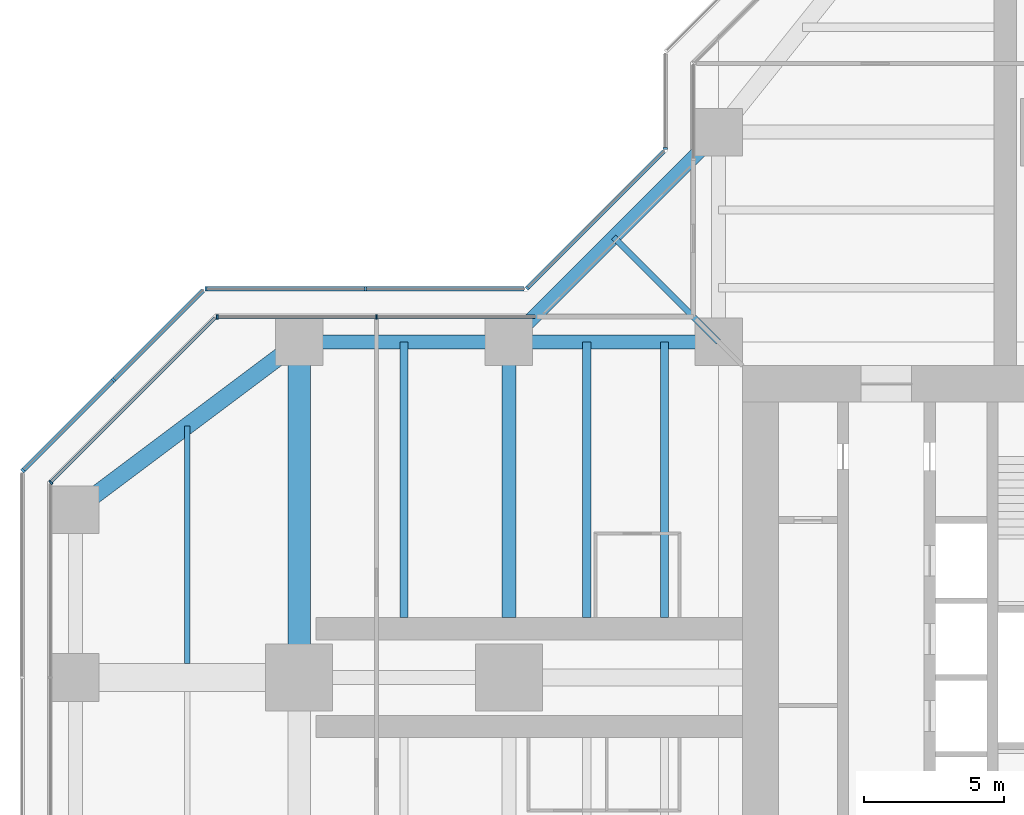
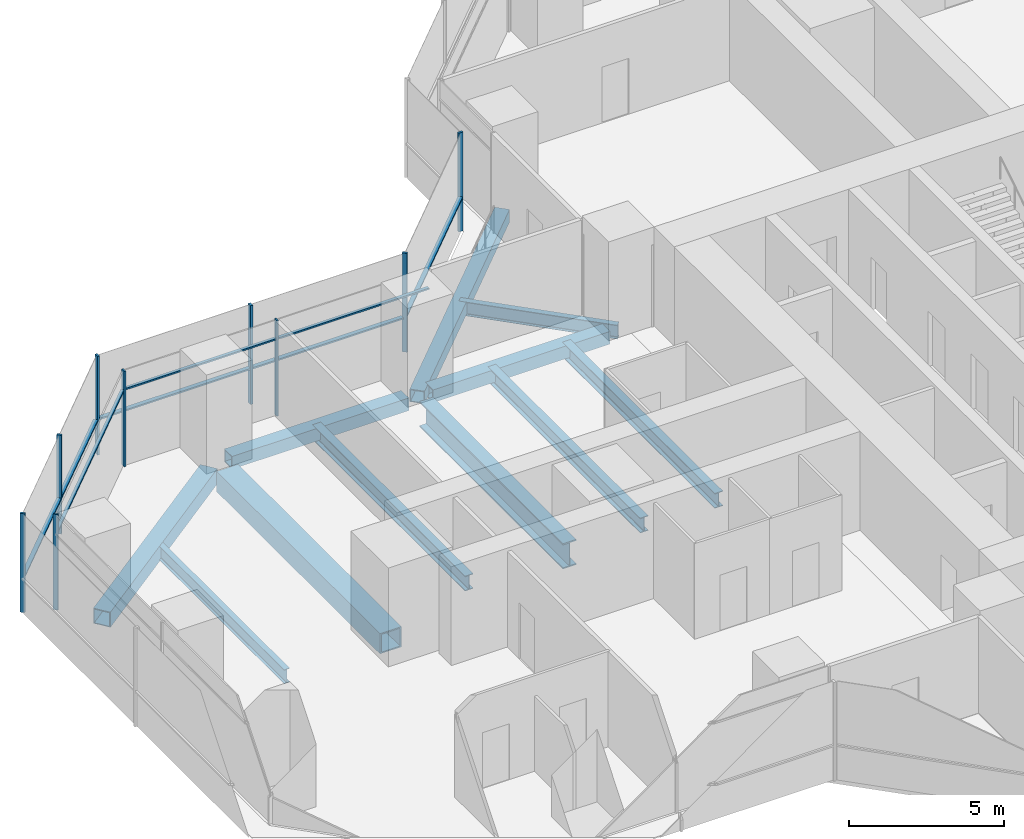
# One storey, part 7 of 20: 17 members, 11 beams, 6 elements without a shape of their own.
"""IFC4 building model written with IfcOpenShell, lengths in metres."""

from ifc_helpers import new_model, si_unit, direction, frame, origin, origin_2d, place, context, subcontext, project, spatial, rectangle, hollow_rectangle, i_section, extrude, material, material_profile, profile_set, type_object, element, aggregate, save


model = new_model("IFC4")

# Units and contexts
model_context = context("Model", 3, precision=1e-05, world=origin(), true_north=direction((0.0, 1.0)))
body_context = subcontext(model_context, "Body", "Model", "MODEL_VIEW")
ifc_project = project(units=[si_unit("LENGTHUNIT", "METRE"), si_unit("AREAUNIT", "SQUARE_METRE"), si_unit("VOLUMEUNIT", "CUBIC_METRE"), si_unit("PLANEANGLEUNIT", "RADIAN"), si_unit("MASSUNIT", "GRAM", prefix="KILO")], contexts=[model_context])

# Site, building, storey
site_placement = place(None, origin())
site = spatial("IfcSite", under=ifc_project, at=site_placement, CompositionType="ELEMENT")
building_placement = place(site_placement, origin())
building = spatial("IfcBuilding", under=site, at=building_placement, Name="Mizan Broadcast Tower", CompositionType="ELEMENT")
storey_placement = place(building_placement, frame((0.0, 0.0, 139.800048828125)))
storey = spatial("IfcBuildingStorey", under=building, at=storey_placement, Name="L31", CompositionType="ELEMENT", Elevation=139.800048828125)

# Beams
ifc_material_1 = material(Name="Steel S355", Category="steel")
ifc_material_profile_1 = material_profile(ifc_material_1, hollow_rectangle(XDim=0.5, YDim=0.5, WallThickness=0.030029296875, at=origin_2d()), Name="BOX 500x500x30")
ifc_profile_set_1 = profile_set([ifc_material_profile_1], Name="Steel S355")
beam_type_1 = type_object("IfcBeamType", Name="EDGE BEAM BOX 500x500x30", PredefinedType="SPANDREL", material=ifc_profile_set_1)
for number, where, z_axis, x_axis, name in (
    (1, (-12.449951171875, 12.0, -0.380126953125), (-1.0, 0.0, 0.0), (0.0, -1.0, 0.0), "Edge beam BOX 500x500x30 L31 west arm"),
    (2, (-19.949951171875, 12.0, -0.380126953125), (-1.0, 0.0, 0.0), (0.0, -1.0, 0.0), "Edge beam BOX 500x500x30 L31 west arm"),
):
    element("IfcBeam", number, at=place(storey_placement, frame(where, z_axis=z_axis, x_axis=x_axis)), inside=storey, type_object=beam_type_1, Name=name, PredefinedType="SPANDREL", context=body_context, shape_type="SweptSolid", body=[
        extrude(hollow_rectangle(XDim=0.5, YDim=0.5, WallThickness=0.030029296875, at=origin_2d()), origin(), (0.0, 0.0, 1.0), 6.60009765625),
    ])
beam_1_placement = place(storey_placement, frame((-12.0, 19.5, -0.380126953125), z_axis=(-0.707106781187, -0.707106781187, 0.0), x_axis=(0.707106781187, -0.707106781187, 0.0)))
element("IfcBeam", 3, at=beam_1_placement, inside=storey, type_object=beam_type_1, Name="Winter garden edge beam L31 N", PredefinedType="SPANDREL", context=body_context, shape_type="SweptSolid", body=[
    extrude(hollow_rectangle(XDim=0.5, YDim=0.5, WallThickness=0.030029296875, at=origin_2d()), origin(), (0.0, 0.0, 1.0), 10.606689453125),
])
ifc_material_2 = material(Name="Steel S355", Category="steel")
ifc_material_profile_2 = material_profile(ifc_material_2, hollow_rectangle(XDim=0.60009765625, YDim=0.60009765625, WallThickness=0.030029296875, at=origin_2d()), Name="BOX 600x600x30")
ifc_profile_set_2 = profile_set([ifc_material_profile_2], Name="Steel S355")
beam_type_2 = type_object("IfcBeamType", Name="EDGE BEAM BOX 600x600x30", PredefinedType="SPANDREL", material=ifc_profile_set_2)
beam_2_placement = place(storey_placement, frame((-27.47998046875, 11.639892578125, -0.429931640625), z_axis=(-0.800013316712, -0.599982243973, 0.0), x_axis=(0.599982243973, -0.800013316712, 0.0)))
element("IfcBeam", 4, at=beam_2_placement, inside=storey, type_object=beam_type_2, Name="Edge beam BOX 600x600x30 L31 west arm", PredefinedType="SPANDREL", context=body_context, shape_type="SweptSolid", body=[
    extrude(hollow_rectangle(XDim=0.60009765625, YDim=0.60009765625, WallThickness=0.030029296875, at=origin_2d()), origin(), (0.0, 0.0, 1.0), 8.7998046875),
])
ifc_material_3 = material(Name="Steel S460", Category="steel")
ifc_material_profile_3 = material_profile(ifc_material_3, hollow_rectangle(XDim=0.800048828125, YDim=0.800048828125, WallThickness=0.050048828125, at=origin_2d()), Name="BOX 800x800x50")
ifc_profile_set_3 = profile_set([ifc_material_profile_3], Name="Steel S460")
beam_type_3 = type_object("IfcBeamType", Name="GIRDER BOX 800x800x50", PredefinedType="BEAM", material=ifc_profile_set_3)
beam_3_placement = place(storey_placement, frame((-27.0, 11.280029296875, -0.530029296875), z_axis=(0.0, -1.0, 0.0), x_axis=(1.0, 0.0, 0.0)))
element("IfcBeam", 5, at=beam_3_placement, inside=storey, type_object=beam_type_3, Name="Girder BOX 800x800x50 L31 west arm", PredefinedType="BEAM", context=body_context, shape_type="SweptSolid", body=[
    extrude(hollow_rectangle(XDim=0.800048828125, YDim=0.800048828125, WallThickness=0.050048828125, at=origin_2d()), origin(), (0.0, 0.0, 1.0), 10.56005859375),
])
ifc_material_4 = material(Name="Steel S460", Category="steel")
ifc_material_profile_4 = material_profile(ifc_material_4, i_section(OverallWidth=0.5, OverallDepth=1.0, WebThickness=0.02490234375, FlangeThickness=0.050048828125, at=origin_2d()), Name="WPG 1000x500")
ifc_profile_set_4 = profile_set([ifc_material_profile_4], Name="Steel S460")
beam_type_4 = type_object("IfcBeamType", Name="GIRDER WPG 1000x500", PredefinedType="BEAM", material=ifc_profile_set_4)
beam_4_placement = place(storey_placement, frame((-19.5, 11.408935546875, -0.630126953125), z_axis=(0.0, -1.0, 0.0), x_axis=(1.0, 0.0, 0.0)))
element("IfcBeam", 6, at=beam_4_placement, inside=storey, type_object=beam_type_4, Name="Girder WPG 1000x500 L31 west arm", PredefinedType="BEAM", context=body_context, shape_type="SweptSolid", body=[
    extrude(i_section(OverallWidth=0.5, OverallDepth=1.0, WebThickness=0.02490234375, FlangeThickness=0.050048828125, at=origin_2d()), origin(), (0.0, 0.0, 1.0), 9.259033203125),
])

# Curtain wall, members
ifc_material_5 = material(Name="Aluminium framed glazing", Category="aluminium")
curtain_wall_type_1 = type_object("IfcCurtainWallType", Name="INNER SKIN MID ZONE", PredefinedType="USERDEFINED", material=ifc_material_5)
curtain_wall_1_placement = place(storey_placement, origin())
curtain_wall_1 = element("IfcCurtainWall", 7, at=curtain_wall_1_placement, inside=storey, type_object=curtain_wall_type_1, Name="Inner skin mid zone L31 W side", ObjectType="INNER SKIN MID ZONE", PredefinedType="USERDEFINED")
ifc_material_6 = material(Name="Aluminium, pale anodised", Category="aluminium")
ifc_material_profile_5 = material_profile(ifc_material_6, rectangle(XDim=0.159912109375, YDim=0.06005859375, at=origin_2d()), Name="MULLION 160x60")
ifc_profile_set_5 = profile_set([ifc_material_profile_5], Name="Aluminium, pale anodised")
member_type_1 = type_object("IfcMemberType", Name="INNER SKIN MULLION 60x160", PredefinedType="MULLION", material=ifc_profile_set_5)
member_1_placement = place(storey_placement, frame((-24.229248046875, 12.89990234375, 0.0), z_axis=(0.0, 0.0, 1.0), x_axis=(0.0, -1.0, 0.0)))
member_1 = element("IfcMember", 8, at=member_1_placement, type_object=member_type_1, Name="Inner skin mid zone L31 W side mullion 2", PredefinedType="MULLION", context=body_context, shape_type="SweptSolid", body=[
    extrude(rectangle(XDim=0.159912109375, YDim=0.06005859375, at=origin_2d()), origin(), (0.0, 0.0, 1.0), 3.77001953125),
])
member_2_placement = place(storey_placement, frame((-29.928466796875, 12.89990234375, 0.0), z_axis=(0.0, 0.0, 1.0), x_axis=(0.0, -1.0, 0.0)))
member_2 = element("IfcMember", 9, at=member_2_placement, type_object=member_type_1, Name="Inner skin mid zone L31 W side mullion 3", PredefinedType="MULLION", context=body_context, shape_type="SweptSolid", body=[
    extrude(rectangle(XDim=0.159912109375, YDim=0.06005859375, at=origin_2d()), origin(), (0.0, 0.0, 1.0), 3.77001953125),
])

# Curtain wall, member
curtain_wall_2_placement = place(storey_placement, origin())
curtain_wall_2 = element("IfcCurtainWall", 10, at=curtain_wall_2_placement, inside=storey, type_object=curtain_wall_type_1, Name="Inner skin mid zone L31 W chamfer", ObjectType="INNER SKIN MID ZONE", PredefinedType="USERDEFINED")
member_3_placement = place(storey_placement, frame((-35.87890625, 6.979736328125, 0.0), z_axis=(0.0, 0.0, 1.0), x_axis=(0.707106781187, -0.707106781187, 0.0)))
member_3 = element("IfcMember", 11, at=member_3_placement, type_object=member_type_1, Name="Inner skin mid zone L31 W chamfer mullion 2", PredefinedType="MULLION", context=body_context, shape_type="SweptSolid", body=[
    extrude(rectangle(XDim=0.159912109375, YDim=0.06005859375, at=origin_2d()), origin(), (0.0, 0.0, 1.0), 3.77001953125),
])

# Member
ifc_material_7 = material(Name="Aluminium, pale anodised", Category="aluminium")
ifc_material_profile_6 = material_profile(ifc_material_7, rectangle(XDim=0.1201171875, YDim=0.06005859375, at=origin_2d()), Name="TRANSOM 120x60")
ifc_profile_set_6 = profile_set([ifc_material_profile_6], Name="Aluminium, pale anodised")
member_type_2 = type_object("IfcMemberType", Name="INNER SKIN TRANSOM 60x120", PredefinedType="USERDEFINED", material=ifc_profile_set_6)
member_4_placement = place(storey_placement, frame((-18.56005859375, 12.89990234375, 3.030029296875), z_axis=(-1.0, 0.0, 0.0), x_axis=(0.0, -1.0, 0.0)))
member_4 = element("IfcMember", 12, at=member_4_placement, type_object=member_type_2, Name="Inner skin mid zone L31 W side transom 1.1", ObjectType="TRANSOM", PredefinedType="USERDEFINED", context=body_context, shape_type="SweptSolid", body=[
    extrude(rectangle(XDim=0.1201171875, YDim=0.06005859375, at=origin_2d()), origin(), (0.0, 0.0, 1.0), 5.63916015625),
])

member_5_placement = place(storey_placement, frame((-24.25927734375, 12.89990234375, 3.030029296875), z_axis=(-1.0, 0.0, 0.0), x_axis=(0.0, -1.0, 0.0)))
member_5 = element("IfcMember", 13, at=member_5_placement, type_object=member_type_2, Name="Inner skin mid zone L31 W side transom 2.1", ObjectType="TRANSOM", PredefinedType="USERDEFINED", context=body_context, shape_type="SweptSolid", body=[
    extrude(rectangle(XDim=0.1201171875, YDim=0.06005859375, at=origin_2d()), origin(), (0.0, 0.0, 1.0), 5.639404296875),
])

aggregate(curtain_wall_1, [member_1, member_2, member_4, member_5])

member_6_placement = place(storey_placement, frame((-30.0009765625, 12.857666015625, 3.030029296875), z_axis=(-0.707106781187, -0.707106781187, 0.0), x_axis=(0.707106781187, -0.707106781187, 0.0)))
member_6 = element("IfcMember", 14, at=member_6_placement, type_object=member_type_2, Name="Inner skin mid zone L31 W chamfer transom 1.1", ObjectType="TRANSOM", PredefinedType="USERDEFINED", context=body_context, shape_type="SweptSolid", body=[
    extrude(rectangle(XDim=0.1201171875, YDim=0.06005859375, at=origin_2d()), origin(), (0.0, 0.0, 1.0), 8.28271484375),
])

aggregate(curtain_wall_2, [member_3, member_6])

# Curtain wall, member
ifc_material_8 = material(Name="Aluminium framed glazing", Category="aluminium")
curtain_wall_type_2 = type_object("IfcCurtainWallType", Name="OUTER SKIN", PredefinedType="USERDEFINED", material=ifc_material_8)
curtain_wall_3_placement = place(storey_placement, origin())
curtain_wall_3 = element("IfcCurtainWall", 15, at=curtain_wall_3_placement, inside=storey, type_object=curtain_wall_type_2, Name="Outer skin L31 N side", ObjectType="OUTER SKIN", PredefinedType="USERDEFINED")
ifc_material_9 = material(Name="Aluminium, pale anodised", Category="aluminium")
ifc_material_profile_7 = material_profile(ifc_material_9, rectangle(XDim=0.159912109375, YDim=0.080078125, at=origin_2d()), Name="MULLION 160x80")
ifc_profile_set_7 = profile_set([ifc_material_profile_7], Name="Aluminium, pale anodised")
member_type_3 = type_object("IfcMemberType", Name="OUTER SKIN MULLION 80x160", PredefinedType="MULLION", material=ifc_profile_set_7)
member_7_placement = place(storey_placement, frame((-13.89990234375, 18.912841796875, 0.0), z_axis=(0.0, 0.0, 1.0), x_axis=(1.0, 0.0, 0.0)))
member_7 = element("IfcMember", 16, at=member_7_placement, type_object=member_type_3, Name="Outer skin L31 N side mullion 2", PredefinedType="MULLION", context=body_context, shape_type="SweptSolid", body=[
    extrude(rectangle(XDim=0.159912109375, YDim=0.080078125, at=origin_2d()), origin(), (0.0, 0.0, 1.0), 3.89990234375),
])
aggregate(curtain_wall_3, [member_7])

curtain_wall_4_placement = place(storey_placement, origin())
curtain_wall_4 = element("IfcCurtainWall", 17, at=curtain_wall_4_placement, inside=storey, type_object=curtain_wall_type_2, Name="Outer skin L31 W chamfer", ObjectType="OUTER SKIN", PredefinedType="USERDEFINED")
member_8_placement = place(storey_placement, frame((-18.844482421875, 13.92822265625, 0.0), z_axis=(0.0, 0.0, 1.0), x_axis=(0.707106781187, -0.707106781187, 0.0)))
member_8 = element("IfcMember", 18, at=member_8_placement, type_object=member_type_3, Name="Outer skin L31 W chamfer mullion 2", PredefinedType="MULLION", context=body_context, shape_type="SweptSolid", body=[
    extrude(rectangle(XDim=0.159912109375, YDim=0.080078125, at=origin_2d()), origin(), (0.0, 0.0, 1.0), 3.89990234375),
])

# Curtain wall, members
curtain_wall_5_placement = place(storey_placement, origin())
curtain_wall_5 = element("IfcCurtainWall", 19, at=curtain_wall_5_placement, inside=storey, type_object=curtain_wall_type_2, Name="Outer skin L31 W side", ObjectType="OUTER SKIN", PredefinedType="USERDEFINED")
member_9_placement = place(storey_placement, frame((-24.622802734375, 13.89990234375, 0.0), z_axis=(0.0, 0.0, 1.0), x_axis=(0.0, -1.0, 0.0)))
member_9 = element("IfcMember", 20, at=member_9_placement, type_object=member_type_3, Name="Outer skin L31 W side mullion 2", PredefinedType="MULLION", context=body_context, shape_type="SweptSolid", body=[
    extrude(rectangle(XDim=0.159912109375, YDim=0.080078125, at=origin_2d()), origin(), (0.0, 0.0, 1.0), 3.89990234375),
])
member_10_placement = place(storey_placement, frame((-30.332763671875, 13.89990234375, 0.0), z_axis=(0.0, 0.0, 1.0), x_axis=(0.0, -1.0, 0.0)))
member_10 = element("IfcMember", 21, at=member_10_placement, type_object=member_type_3, Name="Outer skin L31 W side mullion 3", PredefinedType="MULLION", context=body_context, shape_type="SweptSolid", body=[
    extrude(rectangle(XDim=0.159912109375, YDim=0.080078125, at=origin_2d()), origin(), (0.0, 0.0, 1.0), 3.89990234375),
])

curtain_wall_6_placement = place(storey_placement, origin())
curtain_wall_6 = element("IfcCurtainWall", 22, at=curtain_wall_6_placement, inside=storey, type_object=curtain_wall_type_2, Name="Outer skin L31 W chamfer", ObjectType="OUTER SKIN", PredefinedType="USERDEFINED")
member_11_placement = place(storey_placement, frame((-33.636474609375, 10.636474609375, 0.0), z_axis=(0.0, 0.0, 1.0), x_axis=(0.707106781187, -0.707106781187, 0.0)))
member_11 = element("IfcMember", 23, at=member_11_placement, type_object=member_type_3, Name="Outer skin L31 W chamfer mullion 2", PredefinedType="MULLION", context=body_context, shape_type="SweptSolid", body=[
    extrude(rectangle(XDim=0.159912109375, YDim=0.080078125, at=origin_2d()), origin(), (0.0, 0.0, 1.0), 3.89990234375),
])
member_12_placement = place(storey_placement, frame((-36.871826171875, 7.401123046875, 0.0), z_axis=(0.0, 0.0, 1.0), x_axis=(0.707106781187, -0.707106781187, 0.0)))
member_12 = element("IfcMember", 24, at=member_12_placement, type_object=member_type_3, Name="Outer skin L31 W chamfer mullion 3", PredefinedType="MULLION", context=body_context, shape_type="SweptSolid", body=[
    extrude(rectangle(XDim=0.159912109375, YDim=0.080078125, at=origin_2d()), origin(), (0.0, 0.0, 1.0), 3.89990234375),
])

# Member
ifc_material_10 = material(Name="Aluminium, pale anodised", Category="aluminium")
ifc_material_profile_8 = material_profile(ifc_material_10, rectangle(XDim=0.159912109375, YDim=0.06005859375, at=origin_2d()), Name="TRANSOM 160x60")
ifc_profile_set_8 = profile_set([ifc_material_profile_8], Name="Aluminium, pale anodised")
member_type_4 = type_object("IfcMemberType", Name="OUTER SKIN TRANSOM 60x160", PredefinedType="USERDEFINED", material=ifc_profile_set_8)
member_13_placement = place(storey_placement, frame((-13.95654296875, 18.816162109375, 1.39990234375), z_axis=(-0.707106781187, -0.707106781187, 0.0), x_axis=(0.707106781187, -0.707106781187, 0.0)))
member_13 = element("IfcMember", 25, at=member_13_placement, type_object=member_type_4, Name="Outer skin L31 W chamfer transom 1.1", ObjectType="TRANSOM", PredefinedType="USERDEFINED", context=body_context, shape_type="SweptSolid", body=[
    extrude(rectangle(XDim=0.159912109375, YDim=0.06005859375, at=origin_2d()), origin(), (0.0, 0.0, 1.0), 6.87255859375),
])

aggregate(curtain_wall_4, [member_8, member_13])

member_14_placement = place(storey_placement, frame((-18.952880859375, 13.89990234375, 1.39990234375), z_axis=(-1.0, 0.0, 0.0), x_axis=(0.0, -1.0, 0.0)))
member_14 = element("IfcMember", 26, at=member_14_placement, type_object=member_type_4, Name="Outer skin L31 W side transom 1.1", ObjectType="TRANSOM", PredefinedType="USERDEFINED", context=body_context, shape_type="SweptSolid", body=[
    extrude(rectangle(XDim=0.159912109375, YDim=0.06005859375, at=origin_2d()), origin(), (0.0, 0.0, 1.0), 5.6298828125),
])

member_15_placement = place(storey_placement, frame((-24.662841796875, 13.89990234375, 1.39990234375), z_axis=(-1.0, 0.0, 0.0), x_axis=(0.0, -1.0, 0.0)))
member_15 = element("IfcMember", 27, at=member_15_placement, type_object=member_type_4, Name="Outer skin L31 W side transom 2.1", ObjectType="TRANSOM", PredefinedType="USERDEFINED", context=body_context, shape_type="SweptSolid", body=[
    extrude(rectangle(XDim=0.159912109375, YDim=0.06005859375, at=origin_2d()), origin(), (0.0, 0.0, 1.0), 5.6298828125),
])

aggregate(curtain_wall_5, [member_9, member_10, member_14, member_15])

member_16_placement = place(storey_placement, frame((-30.429443359375, 13.843505859375, 1.39990234375), z_axis=(-0.707106781187, -0.707106781187, 0.0), x_axis=(0.707106781187, -0.707106781187, 0.0)))
member_16 = element("IfcMember", 28, at=member_16_placement, type_object=member_type_4, Name="Outer skin L31 W chamfer transom 1.1", ObjectType="TRANSOM", PredefinedType="USERDEFINED", context=body_context, shape_type="SweptSolid", body=[
    extrude(rectangle(XDim=0.159912109375, YDim=0.06005859375, at=origin_2d()), origin(), (0.0, 0.0, 1.0), 4.495361328125),
])

member_17_placement = place(storey_placement, frame((-33.664794921875, 10.608154296875, 1.39990234375), z_axis=(-0.707106781187, -0.707106781187, 0.0), x_axis=(0.707106781187, -0.707106781187, 0.0)))
member_17 = element("IfcMember", 29, at=member_17_placement, type_object=member_type_4, Name="Outer skin L31 W chamfer transom 2.1", ObjectType="TRANSOM", PredefinedType="USERDEFINED", context=body_context, shape_type="SweptSolid", body=[
    extrude(rectangle(XDim=0.159912109375, YDim=0.06005859375, at=origin_2d()), origin(), (0.0, 0.0, 1.0), 4.495361328125),
])

aggregate(curtain_wall_6, [member_11, member_12, member_16, member_17])

# Beams
ifc_material_11 = material(Name="Steel S355", Category="steel")
ifc_material_profile_9 = material_profile(ifc_material_11, i_section(OverallWidth=0.300048828125, OverallDepth=0.590087890625, WebThickness=0.012939453125, FlangeThickness=0.02490234375, FilletRadius=0.027099609375, at=origin_2d()), Name="HEA 600")
ifc_profile_set_9 = profile_set([ifc_material_profile_9], Name="Steel S355")
beam_type_5 = type_object("IfcBeamType", Name="SECONDARY BEAM HEA 600", PredefinedType="JOIST", material=ifc_profile_set_9)
for number, where, z_axis, x_axis, name in (
    (30, (-13.933349609375, 12.0, -0.425048828125), (0.0, -1.0, 0.0), (1.0, 0.0, 0.0), "Secondary beam HEA 600 L31 west arm"),
    (31, (-16.716552734375, 12.0, -0.425048828125), (0.0, -1.0, 0.0), (1.0, 0.0, 0.0), "Secondary beam HEA 600 L31 west arm"),
    (32, (-23.25, 12.0, -0.425048828125), (0.0, -1.0, 0.0), (1.0, 0.0, 0.0), "Secondary beam HEA 600 L31 west arm"),
):
    element("IfcBeam", number, at=place(storey_placement, frame(where, z_axis=z_axis, x_axis=x_axis)), inside=storey, type_object=beam_type_5, Name=name, PredefinedType="JOIST", context=body_context, shape_type="SweptSolid", body=[
        extrude(i_section(OverallWidth=0.300048828125, OverallDepth=0.590087890625, WebThickness=0.012939453125, FlangeThickness=0.02490234375, FilletRadius=0.027099609375, at=origin_2d()), origin(), (0.0, 0.0, 1.0), 9.85009765625),
    ])
ifc_material_12 = material(Name="Steel S355", Category="steel")
ifc_material_profile_10 = material_profile(ifc_material_12, i_section(OverallWidth=0.2099609375, OverallDepth=0.550048828125, WebThickness=0.010986328125, FlangeThickness=0.01708984375, FilletRadius=0.02392578125, at=origin_2d()), Name="IPE 550")
ifc_profile_set_10 = profile_set([ifc_material_profile_10], Name="Steel S355")
beam_type_6 = type_object("IfcBeamType", Name="SECONDARY BEAM IPE 550", PredefinedType="JOIST", material=ifc_profile_set_10)
beam_5_placement = place(storey_placement, frame((-31.0, 9.0, -0.405029296875), z_axis=(0.0, -1.0, 0.0), x_axis=(1.0, 0.0, 0.0)))
element("IfcBeam", 33, at=beam_5_placement, inside=storey, type_object=beam_type_6, Name="Secondary beam IPE 550 L31 west arm", PredefinedType="JOIST", context=body_context, shape_type="SweptSolid", body=[
    extrude(i_section(OverallWidth=0.2099609375, OverallDepth=0.550048828125, WebThickness=0.010986328125, FlangeThickness=0.01708984375, FilletRadius=0.02392578125, at=origin_2d()), origin(), (0.0, 0.0, 1.0), 8.5),
])
beam_6_placement = place(storey_placement, frame((-12.0, 12.0, -0.405029296875), z_axis=(-0.707106781187, 0.707106781187, 0.0), x_axis=(-0.707106781187, -0.707106781187, 0.0)))
element("IfcBeam", 34, at=beam_6_placement, inside=storey, type_object=beam_type_6, Name="Winter garden beam L31 N", PredefinedType="JOIST", context=body_context, shape_type="SweptSolid", body=[
    extrude(i_section(OverallWidth=0.2099609375, OverallDepth=0.550048828125, WebThickness=0.010986328125, FlangeThickness=0.01708984375, FilletRadius=0.02392578125, at=origin_2d()), origin(), (0.0, 0.0, 1.0), 5.30322265625),
])

save(model, "model.ifc")
